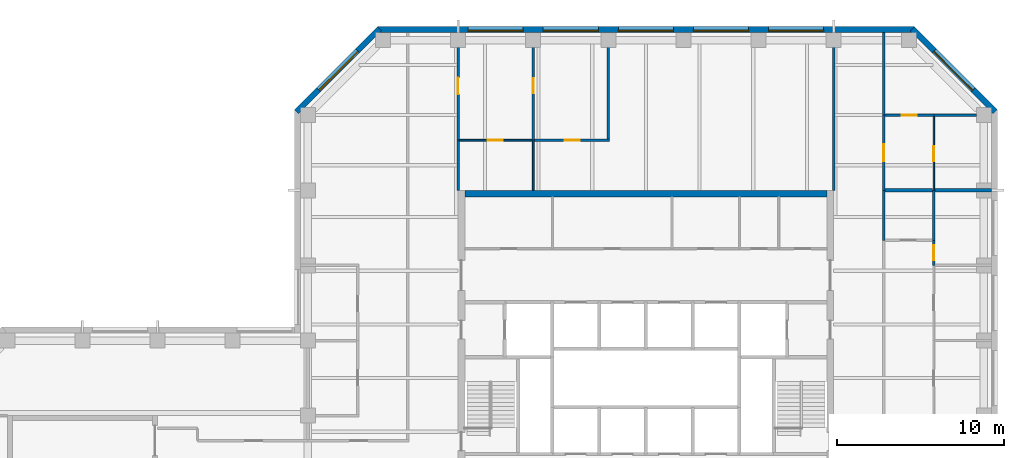
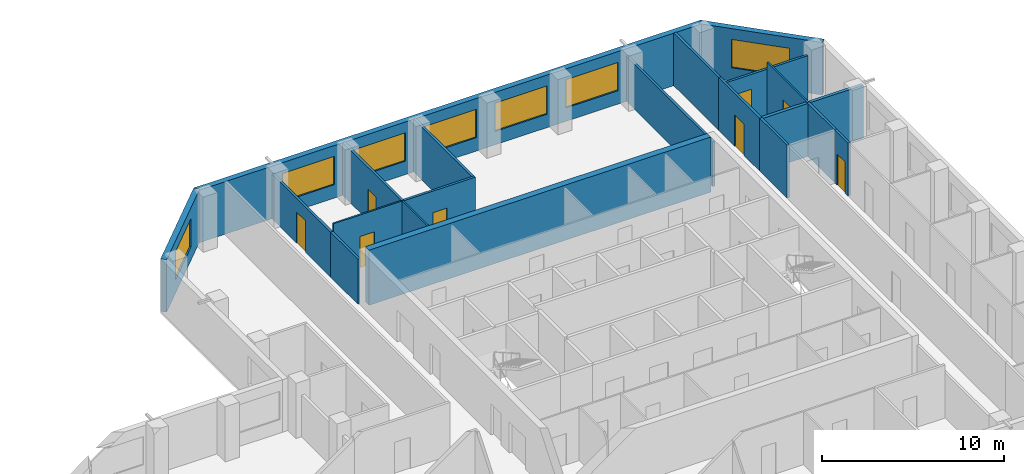
# One storey, part 7 of 9: 22 walls, 8 doors, 7 windows, 15 openings.
"""IFC4 building model written with IfcOpenShell, lengths in metres."""

from ifc_helpers import new_model, si_unit, direction, frame, frame_2d, origin, place, context, subcontext, project, spatial, rectangle, extrude, material, layer, layer_set, constituent, constituent_set, type_object, element, fill, save


model = new_model("IFC4")

# Units and contexts
model_context = context("Model", 3, precision=1e-05, world=origin(), true_north=direction((0.0, 1.0)))
body_context = subcontext(model_context, "Body", "Model", "MODEL_VIEW")
ifc_project = project(units=[si_unit("LENGTHUNIT", "METRE"), si_unit("AREAUNIT", "SQUARE_METRE"), si_unit("VOLUMEUNIT", "CUBIC_METRE"), si_unit("PLANEANGLEUNIT", "RADIAN"), si_unit("MASSUNIT", "GRAM", prefix="KILO")], contexts=[model_context])

# Site, building, storey
site_placement = place(None, origin())
site = spatial("IfcSite", under=ifc_project, at=site_placement, CompositionType="ELEMENT")
building_placement = place(site_placement, origin())
building = spatial("IfcBuilding", under=site, at=building_placement, Name="Quoin Convention Tower", CompositionType="ELEMENT")
storey_placement = place(building_placement, frame((0.0, 0.0, 199.5)))
storey = spatial("IfcBuildingStorey", under=building, at=storey_placement, Name="L52", CompositionType="ELEMENT", Elevation=199.5)

# Wall, opening, door
ifc_material_1 = material(Name="Plasterboard")
ifc_layer_1 = layer(ifc_material_1, 0.012451171875, Name="Finish")
ifc_material_2 = material(Name="Steel stud framing", Category="steel")
ifc_layer_2 = layer(ifc_material_2, 0.125, Name="Structure")
ifc_layer_3 = layer(ifc_material_1, 0.012451171875, Name="Finish")
ifc_layer_set_1 = layer_set([ifc_layer_1, ifc_layer_2, ifc_layer_3], Name="Steel stud framing")
wall_type_1 = type_object("IfcWallType", Name="Acoustic partition 150", PredefinedType="PARTITIONING", material=ifc_layer_set_1)
wall_1_placement = place(storey_placement, frame((49.574951171875, 75.0, 0.0), z_axis=(0.0, 0.0, 1.0), x_axis=(1.0, 0.0, 0.0)))
wall_1 = element("IfcWall", 1, at=wall_1_placement, inside=storey, type_object=wall_type_1, Name="pw-L52-033", PredefinedType="PARTITIONING", context=body_context, shape_type="SweptSolid", body=[
    extrude(rectangle(XDim=4.5, YDim=0.14990234375, at=frame_2d((2.25, 0.0))), origin(), (0.0, 0.0, 1.0), 3.550048828125),
])
opening_1_placement = place(wall_1_placement, frame((1.800048828125, 0.0, 0.0)))
opening_1 = element("IfcOpeningElement", 2, at=opening_1_placement, cuts=wall_1, Name="Opening DOH8-09", PredefinedType="OPENING", context=body_context, shape_type="SweptSolid", body=[
    extrude(rectangle(XDim=0.89990234375, YDim=2.10009765625, at=frame_2d((0.449951171875, 1.050048828125))), frame((0.0, 0.0849609375, 0.0), z_axis=(0.0, -1.0, 0.0), x_axis=(1.0, 0.0, 0.0)), (0.0, 0.0, 1.0), 0.169921875),
])
ifc_material_3 = material(Name="Steel door leaf", Category="steel")
door_type_1 = type_object("IfcDoorType", Name="Office door 900 x 2100", OperationType="SINGLE_SWING_RIGHT", PredefinedType="DOOR", material=ifc_material_3)
door_1_placement = place(opening_1_placement, frame((0.89990234375, 0.0, 0.0), z_axis=(0.0, 0.0, 1.0), x_axis=(-1.0, 0.0, 0.0)))
door_1 = element("IfcDoor", 3, at=door_1_placement, inside=storey, type_object=door_type_1, Name="dr-L52-17", OperationType="SINGLE_SWING_LEFT", OverallHeight=2.10009765625, OverallWidth=0.89990234375, PredefinedType="DOOR", context=body_context, shape_type="SweptSolid", body=[
    extrude(rectangle(XDim=0.89990234375, YDim=2.10009765625, at=frame_2d((0.449951171875, 1.050048828125))), frame((0.0, 0.02490234375, 0.0), z_axis=(0.0, -1.0, 0.0), x_axis=(1.0, 0.0, 0.0)), (0.0, 0.0, 1.0), 0.050048828125),
])
fill(opening_1, door_1)

wall_2_placement = place(storey_placement, frame((73.5, 67.5, 0.0), z_axis=(0.0, 0.0, 1.0), x_axis=(0.0, 1.0, 0.0)))
wall_2 = element("IfcWall", 4, at=wall_2_placement, inside=storey, type_object=wall_type_1, Name="pw-L52-074", PredefinedType="PARTITIONING", context=body_context, shape_type="SweptSolid", body=[
    extrude(rectangle(XDim=1.5, YDim=0.14990234375, at=frame_2d((0.75, 0.0))), origin(), (0.0, 0.0, 1.0), 3.550048828125),
])
opening_2_placement = place(wall_2_placement, frame((0.300048828125, 0.0, 0.0)))
opening_2 = element("IfcOpeningElement", 5, at=opening_2_placement, cuts=wall_2, Name="Opening DOH8-23", PredefinedType="OPENING", context=body_context, shape_type="SweptSolid", body=[
    extrude(rectangle(XDim=0.89990234375, YDim=2.10009765625, at=frame_2d((0.449951171875, 1.050048828125))), frame((0.0, 0.0849609375, 0.0), z_axis=(0.0, -1.0, 0.0), x_axis=(1.0, 0.0, 0.0)), (0.0, 0.0, 1.0), 0.169921875),
])
door_2_placement = place(opening_2_placement, origin())
door_2 = element("IfcDoor", 6, at=door_2_placement, inside=storey, type_object=door_type_1, Name="dr-L52-32", OperationType="SINGLE_SWING_RIGHT", OverallHeight=2.10009765625, OverallWidth=0.89990234375, PredefinedType="DOOR", context=body_context, shape_type="SweptSolid", body=[
    extrude(rectangle(XDim=0.89990234375, YDim=2.10009765625, at=frame_2d((0.449951171875, 1.050048828125))), frame((0.0, 0.02490234375, 0.0), z_axis=(0.0, -1.0, 0.0), x_axis=(1.0, 0.0, 0.0)), (0.0, 0.0, 1.0), 0.050048828125),
])
fill(opening_2, door_2)

wall_3_placement = place(storey_placement, frame((49.5, 75.0, 0.0), z_axis=(0.0, 0.0, 1.0), x_axis=(0.0, 1.0, 0.0)))
wall_3 = element("IfcWall", 7, at=wall_3_placement, inside=storey, type_object=wall_type_1, Name="pw-L52-083", PredefinedType="PARTITIONING", context=body_context, shape_type="SweptSolid", body=[
    extrude(rectangle(XDim=6.449951171875, YDim=0.14990234375, at=frame_2d((3.22509765625, 0.0))), origin(), (0.0, 0.0, 1.0), 3.550048828125),
])
opening_3_placement = place(wall_3_placement, frame((2.800048828125, 0.0, 0.0)))
opening_3 = element("IfcOpeningElement", 8, at=opening_3_placement, cuts=wall_3, Name="Opening DOH8-27", PredefinedType="OPENING", context=body_context, shape_type="SweptSolid", body=[
    extrude(rectangle(XDim=0.89990234375, YDim=2.10009765625, at=frame_2d((0.449951171875, 1.050048828125))), frame((0.0, 0.0849609375, 0.0), z_axis=(0.0, -1.0, 0.0), x_axis=(1.0, 0.0, 0.0)), (0.0, 0.0, 1.0), 0.169921875),
])
door_3_placement = place(opening_3_placement, frame((0.89990234375, 0.0, 0.0), z_axis=(0.0, 0.0, 1.0), x_axis=(-1.0, 0.0, 0.0)))
door_3 = element("IfcDoor", 9, at=door_3_placement, inside=storey, type_object=door_type_1, Name="dr-L52-15", OperationType="SINGLE_SWING_LEFT", OverallHeight=2.10009765625, OverallWidth=0.89990234375, PredefinedType="DOOR", context=body_context, shape_type="SweptSolid", body=[
    extrude(rectangle(XDim=0.89990234375, YDim=2.10009765625, at=frame_2d((0.449951171875, 1.050048828125))), frame((0.0, 0.02490234375, 0.0), z_axis=(0.0, -1.0, 0.0), x_axis=(1.0, 0.0, 0.0)), (0.0, 0.0, 1.0), 0.050048828125),
])
fill(opening_3, door_3)

# Wall
wall_4_placement = place(storey_placement, frame((54.0, 75.074951171875, 0.0), z_axis=(0.0, 0.0, 1.0), x_axis=(0.0, 1.0, 0.0)))
element("IfcWall", 10, at=wall_4_placement, inside=storey, type_object=wall_type_1, Name="pw-L52-084", PredefinedType="PARTITIONING", context=body_context, shape_type="SweptSolid", body=[
    extrude(rectangle(XDim=6.375, YDim=0.14990234375, at=frame_2d((3.1875, 0.0))), origin(), (0.0, 0.0, 1.0), 3.550048828125),
])

# Wall, opening, door
ifc_layer_4 = layer(ifc_material_1, 0.012451171875, Name="Finish")
ifc_layer_5 = layer(ifc_material_2, 0.125, Name="Structure")
ifc_layer_6 = layer(ifc_material_1, 0.012451171875, Name="Finish")
ifc_layer_set_2 = layer_set([ifc_layer_4, ifc_layer_5, ifc_layer_6], Name="Steel stud framing")
wall_type_2 = type_object("IfcWallType", Name="Acoustic partition 150 under beam 454", PredefinedType="PARTITIONING", material=ifc_layer_set_2)
wall_5_placement = place(storey_placement, frame((70.574951171875, 76.5, 0.0), z_axis=(0.0, 0.0, 1.0), x_axis=(1.0, 0.0, 0.0)))
wall_5 = element("IfcWall", 11, at=wall_5_placement, inside=storey, type_object=wall_type_2, Name="pw-L52-034", PredefinedType="PARTITIONING", context=body_context, shape_type="SweptSolid", body=[
    extrude(rectangle(XDim=2.925048828125, YDim=0.14990234375, at=frame_2d((1.46240234375, 0.0))), origin(), (0.0, 0.0, 1.0), 3.095947265625),
])
opening_4_placement = place(wall_5_placement, frame((1.0, 0.0, 0.0)))
opening_4 = element("IfcOpeningElement", 12, at=opening_4_placement, cuts=wall_5, Name="Opening DOH8-10", PredefinedType="OPENING", context=body_context, shape_type="SweptSolid", body=[
    extrude(rectangle(XDim=0.89990234375, YDim=2.10009765625, at=frame_2d((0.449951171875, 1.050048828125))), frame((0.0, 0.0849609375, 0.0), z_axis=(0.0, -1.0, 0.0), x_axis=(1.0, 0.0, 0.0)), (0.0, 0.0, 1.0), 0.169921875),
])
door_4_placement = place(opening_4_placement, origin())
door_4 = element("IfcDoor", 13, at=door_4_placement, inside=storey, type_object=door_type_1, Name="dr-L52-35", OperationType="SINGLE_SWING_RIGHT", OverallHeight=2.10009765625, OverallWidth=0.89990234375, PredefinedType="DOOR", context=body_context, shape_type="SweptSolid", body=[
    extrude(rectangle(XDim=0.89990234375, YDim=2.10009765625, at=frame_2d((0.449951171875, 1.050048828125))), frame((0.0, 0.02490234375, 0.0), z_axis=(0.0, -1.0, 0.0), x_axis=(1.0, 0.0, 0.0)), (0.0, 0.0, 1.0), 0.050048828125),
])
fill(opening_4, door_4)

# Wall
wall_6_placement = place(storey_placement, frame((73.5, 76.5, 0.0), z_axis=(0.0, 0.0, 1.0), x_axis=(1.0, 0.0, 0.0)))
element("IfcWall", 14, at=wall_6_placement, inside=storey, type_object=wall_type_2, Name="pw-L52-035", PredefinedType="PARTITIONING", context=body_context, shape_type="SweptSolid", body=[
    extrude(rectangle(XDim=2.550048828125, YDim=0.14990234375, at=frame_2d((1.27490234375, 0.0))), origin(), (0.0, 0.0, 1.0), 3.095947265625),
])

# Wall, opening, window
ifc_material_4 = material(Name="Brick masonry", Category="masonry")
ifc_layer_7 = layer(ifc_material_4, 0.35009765625)
ifc_layer_set_3 = layer_set([ifc_layer_7], Name="Brick masonry")
wall_type_3 = type_object("IfcWallType", Name="Brick facade wall", PredefinedType="STANDARD", material=ifc_layer_set_3)
wall_7_placement = place(storey_placement, frame((77.17626953125, 76.70751953125, 0.0), z_axis=(0.0, 0.0, 1.0), x_axis=(-0.707106781187, 0.707106781187, 0.0)))
wall_7 = element("IfcWall", 15, at=wall_7_placement, inside=storey, type_object=wall_type_3, Name="fw-L52-76500_76500", PredefinedType="STANDARD", context=body_context, shape_type="SweptSolid", body=[
    extrude(rectangle(XDim=7.02685546875, YDim=0.35009765625, at=frame_2d((3.513427734375, 0.0))), origin(), (0.0, 0.0, 1.0), 3.52490234375),
])
opening_5_placement = place(wall_7_placement, frame((1.86328125, 0.0, 0.89990234375)))
opening_5 = element("IfcOpeningElement", 16, at=opening_5_placement, cuts=wall_7, Name="Opening W-02", PredefinedType="OPENING", context=body_context, shape_type="SweptSolid", body=[
    extrude(rectangle(XDim=3.300048828125, YDim=1.89990234375, at=frame_2d((1.64990234375, 0.949951171875))), frame((0.0, 0.18505859375, 0.0), z_axis=(0.0, -1.0, 0.0), x_axis=(1.0, 0.0, 0.0)), (0.0, 0.0, 1.0), 0.3701171875),
])
ifc_material_5 = material(Name="Aluminium", Category="aluminium")
ifc_constituent_1 = constituent(ifc_material_5, Name="Frame")
ifc_material_6 = material(Name="Insulated glass", Category="glass")
ifc_constituent_2 = constituent(ifc_material_6, Name="Glazing")
ifc_constituent_set = constituent_set(constituents=[ifc_constituent_1, ifc_constituent_2], Name="Aluminium")
window_type = type_object("IfcWindowType", Name="Office window", PartitioningType="DOUBLE_PANEL_VERTICAL", PredefinedType="WINDOW", material=ifc_constituent_set)
window_1_placement = place(opening_5_placement, origin())
window_1 = element("IfcWindow", 17, at=window_1_placement, inside=storey, type_object=window_type, Name="win-L52-74692_79192", OverallHeight=1.89990234375, OverallWidth=3.300048828125, PartitioningType="SINGLE_PANEL", PredefinedType="WINDOW", context=body_context, shape_type="SweptSolid", body=[
    extrude(rectangle(XDim=3.300048828125, YDim=1.89990234375, at=frame_2d((1.64990234375, 0.949951171875))), frame((0.0, 0.0849609375, 0.0), z_axis=(0.0, -1.0, 0.0), x_axis=(1.0, 0.0, 0.0)), (0.0, 0.0, 1.0), 0.06005859375),
])
fill(opening_5, window_1)

# Wall, openings, windows
wall_8_placement = place(storey_placement, frame((72.331298828125, 81.625, 0.0), z_axis=(0.0, 0.0, 1.0), x_axis=(-1.0, 0.0, 0.0)))
wall_8 = element("IfcWall", 18, at=wall_8_placement, inside=storey, type_object=wall_type_3, Name="fw-L52-72000_81000", PredefinedType="STANDARD", context=body_context, shape_type="SweptSolid", body=[
    extrude(rectangle(XDim=32.16259765625, YDim=0.35009765625, at=frame_2d((16.081298828125, 0.0))), origin(), (0.0, 0.0, 1.0), 3.52490234375),
])
opening_6_placement = place(wall_8_placement, frame((5.431396484375, 0.0, 0.89990234375)))
opening_6 = element("IfcOpeningElement", 19, at=opening_6_placement, cuts=wall_8, Name="Opening W-02", PredefinedType="OPENING", context=body_context, shape_type="SweptSolid", body=[
    extrude(rectangle(XDim=3.300048828125, YDim=1.89990234375, at=frame_2d((1.64990234375, 0.949951171875))), frame((0.0, 0.18505859375, 0.0), z_axis=(0.0, -1.0, 0.0), x_axis=(1.0, 0.0, 0.0)), (0.0, 0.0, 1.0), 0.3701171875),
])
opening_7_placement = place(wall_8_placement, frame((9.931396484375, 0.0, 0.89990234375)))
opening_7 = element("IfcOpeningElement", 20, at=opening_7_placement, cuts=wall_8, Name="Opening W-02", PredefinedType="OPENING", context=body_context, shape_type="SweptSolid", body=[
    extrude(rectangle(XDim=3.300048828125, YDim=1.89990234375, at=frame_2d((1.64990234375, 0.949951171875))), frame((0.0, 0.18505859375, 0.0), z_axis=(0.0, -1.0, 0.0), x_axis=(1.0, 0.0, 0.0)), (0.0, 0.0, 1.0), 0.3701171875),
])
opening_8_placement = place(wall_8_placement, frame((14.431396484375, 0.0, 0.89990234375)))
opening_8 = element("IfcOpeningElement", 21, at=opening_8_placement, cuts=wall_8, Name="Opening W-02", PredefinedType="OPENING", context=body_context, shape_type="SweptSolid", body=[
    extrude(rectangle(XDim=3.300048828125, YDim=1.89990234375, at=frame_2d((1.64990234375, 0.949951171875))), frame((0.0, 0.18505859375, 0.0), z_axis=(0.0, -1.0, 0.0), x_axis=(1.0, 0.0, 0.0)), (0.0, 0.0, 1.0), 0.3701171875),
])
opening_9_placement = place(wall_8_placement, frame((18.931396484375, 0.0, 0.89990234375)))
opening_9 = element("IfcOpeningElement", 22, at=opening_9_placement, cuts=wall_8, Name="Opening W-02", PredefinedType="OPENING", context=body_context, shape_type="SweptSolid", body=[
    extrude(rectangle(XDim=3.300048828125, YDim=1.89990234375, at=frame_2d((1.64990234375, 0.949951171875))), frame((0.0, 0.18505859375, 0.0), z_axis=(0.0, -1.0, 0.0), x_axis=(1.0, 0.0, 0.0)), (0.0, 0.0, 1.0), 0.3701171875),
])
opening_10_placement = place(wall_8_placement, frame((23.431396484375, 0.0, 0.89990234375)))
opening_10 = element("IfcOpeningElement", 23, at=opening_10_placement, cuts=wall_8, Name="Opening W-02", PredefinedType="OPENING", context=body_context, shape_type="SweptSolid", body=[
    extrude(rectangle(XDim=3.300048828125, YDim=1.89990234375, at=frame_2d((1.64990234375, 0.949951171875))), frame((0.0, 0.18505859375, 0.0), z_axis=(0.0, -1.0, 0.0), x_axis=(1.0, 0.0, 0.0)), (0.0, 0.0, 1.0), 0.3701171875),
])
window_2_placement = place(opening_6_placement, origin())
window_2 = element("IfcWindow", 24, at=window_2_placement, inside=storey, type_object=window_type, Name="win-L52-65250_81625", OverallHeight=1.89990234375, OverallWidth=3.300048828125, PartitioningType="SINGLE_PANEL", PredefinedType="WINDOW", context=body_context, shape_type="SweptSolid", body=[
    extrude(rectangle(XDim=3.300048828125, YDim=1.89990234375, at=frame_2d((1.64990234375, 0.949951171875))), frame((0.0, 0.0849609375, 0.0), z_axis=(0.0, -1.0, 0.0), x_axis=(1.0, 0.0, 0.0)), (0.0, 0.0, 1.0), 0.06005859375),
])
fill(opening_6, window_2)
window_3_placement = place(opening_7_placement, origin())
window_3 = element("IfcWindow", 25, at=window_3_placement, inside=storey, type_object=window_type, Name="win-L52-60750_81625", OverallHeight=1.89990234375, OverallWidth=3.300048828125, PartitioningType="SINGLE_PANEL", PredefinedType="WINDOW", context=body_context, shape_type="SweptSolid", body=[
    extrude(rectangle(XDim=3.300048828125, YDim=1.89990234375, at=frame_2d((1.64990234375, 0.949951171875))), frame((0.0, 0.0849609375, 0.0), z_axis=(0.0, -1.0, 0.0), x_axis=(1.0, 0.0, 0.0)), (0.0, 0.0, 1.0), 0.06005859375),
])
fill(opening_7, window_3)
window_4_placement = place(opening_8_placement, origin())
window_4 = element("IfcWindow", 26, at=window_4_placement, inside=storey, type_object=window_type, Name="win-L52-56250_81625", OverallHeight=1.89990234375, OverallWidth=3.300048828125, PartitioningType="SINGLE_PANEL", PredefinedType="WINDOW", context=body_context, shape_type="SweptSolid", body=[
    extrude(rectangle(XDim=3.300048828125, YDim=1.89990234375, at=frame_2d((1.64990234375, 0.949951171875))), frame((0.0, 0.0849609375, 0.0), z_axis=(0.0, -1.0, 0.0), x_axis=(1.0, 0.0, 0.0)), (0.0, 0.0, 1.0), 0.06005859375),
])
fill(opening_8, window_4)
window_5_placement = place(opening_9_placement, origin())
window_5 = element("IfcWindow", 27, at=window_5_placement, inside=storey, type_object=window_type, Name="win-L52-51750_81625", OverallHeight=1.89990234375, OverallWidth=3.300048828125, PartitioningType="SINGLE_PANEL", PredefinedType="WINDOW", context=body_context, shape_type="SweptSolid", body=[
    extrude(rectangle(XDim=3.300048828125, YDim=1.89990234375, at=frame_2d((1.64990234375, 0.949951171875))), frame((0.0, 0.0849609375, 0.0), z_axis=(0.0, -1.0, 0.0), x_axis=(1.0, 0.0, 0.0)), (0.0, 0.0, 1.0), 0.06005859375),
])
fill(opening_9, window_5)
window_6_placement = place(opening_10_placement, origin())
window_6 = element("IfcWindow", 28, at=window_6_placement, inside=storey, type_object=window_type, Name="win-L52-47250_81625", OverallHeight=1.89990234375, OverallWidth=3.300048828125, PartitioningType="SINGLE_PANEL", PredefinedType="WINDOW", context=body_context, shape_type="SweptSolid", body=[
    extrude(rectangle(XDim=3.300048828125, YDim=1.89990234375, at=frame_2d((1.64990234375, 0.949951171875))), frame((0.0, 0.0849609375, 0.0), z_axis=(0.0, -1.0, 0.0), x_axis=(1.0, 0.0, 0.0)), (0.0, 0.0, 1.0), 0.06005859375),
])
fill(opening_10, window_6)

# Wall, opening, window
wall_9_placement = place(storey_placement, frame((40.29248046875, 81.67626953125, 0.0), z_axis=(0.0, 0.0, 1.0), x_axis=(-0.707106781187, -0.707106781187, 0.0)))
wall_9 = element("IfcWall", 29, at=wall_9_placement, inside=storey, type_object=wall_type_3, Name="fw-L52-40500_81000", PredefinedType="STANDARD", context=body_context, shape_type="SweptSolid", body=[
    extrude(rectangle(XDim=7.02685546875, YDim=0.35009765625, at=frame_2d((3.513427734375, 0.0))), origin(), (0.0, 0.0, 1.0), 3.52490234375),
])
opening_11_placement = place(wall_9_placement, frame((1.86328125, 0.0, 0.89990234375)))
opening_11 = element("IfcOpeningElement", 30, at=opening_11_placement, cuts=wall_9, Name="Opening W-02", PredefinedType="OPENING", context=body_context, shape_type="SweptSolid", body=[
    extrude(rectangle(XDim=3.300048828125, YDim=1.89990234375, at=frame_2d((1.64990234375, 0.949951171875))), frame((0.0, 0.18505859375, 0.0), z_axis=(0.0, -1.0, 0.0), x_axis=(1.0, 0.0, 0.0)), (0.0, 0.0, 1.0), 0.3701171875),
])
window_7_placement = place(opening_11_placement, origin())
window_7 = element("IfcWindow", 31, at=window_7_placement, inside=storey, type_object=window_type, Name="win-L52-37808_79192", OverallHeight=1.89990234375, OverallWidth=3.300048828125, PartitioningType="SINGLE_PANEL", PredefinedType="WINDOW", context=body_context, shape_type="SweptSolid", body=[
    extrude(rectangle(XDim=3.300048828125, YDim=1.89990234375, at=frame_2d((1.64990234375, 0.949951171875))), frame((0.0, 0.0849609375, 0.0), z_axis=(0.0, -1.0, 0.0), x_axis=(1.0, 0.0, 0.0)), (0.0, 0.0, 1.0), 0.06005859375),
])
fill(opening_11, window_7)

# Wall
ifc_layer_8 = layer(ifc_material_1, 0.012451171875, Name="Finish")
ifc_layer_9 = layer(ifc_material_2, 0.125, Name="Structure")
ifc_layer_10 = layer(ifc_material_1, 0.012451171875, Name="Finish")
ifc_layer_set_4 = layer_set([ifc_layer_8, ifc_layer_9, ifc_layer_10], Name="Steel stud framing")
wall_type_4 = type_object("IfcWallType", Name="Corridor wall 150", PredefinedType="PARTITIONING", material=ifc_layer_set_4)
wall_10_placement = place(storey_placement, frame((70.5, 69.0, 0.0), z_axis=(0.0, 0.0, 1.0), x_axis=(0.0, 1.0, 0.0)))
element("IfcWall", 32, at=wall_10_placement, inside=storey, type_object=wall_type_4, Name="pw-L52-075", PredefinedType="PARTITIONING", context=body_context, shape_type="SweptSolid", body=[
    extrude(rectangle(XDim=3.0, YDim=0.14990234375, at=frame_2d((1.5, 0.0))), origin(), (0.0, 0.0, 1.0), 3.550048828125),
])

# Wall, opening, door
wall_11_placement = place(storey_placement, frame((70.5, 72.0, 0.0), z_axis=(0.0, 0.0, 1.0), x_axis=(0.0, 1.0, 0.0)))
wall_11 = element("IfcWall", 33, at=wall_11_placement, inside=storey, type_object=wall_type_4, Name="pw-L52-080", PredefinedType="PARTITIONING", context=body_context, shape_type="SweptSolid", body=[
    extrude(rectangle(XDim=4.5, YDim=0.14990234375, at=frame_2d((2.25, 0.0))), origin(), (0.0, 0.0, 1.0), 3.550048828125),
])
opening_12_placement = place(wall_11_placement, frame((1.75, 0.0, 0.0)))
opening_12 = element("IfcOpeningElement", 34, at=opening_12_placement, cuts=wall_11, Name="Opening DOH8-24", PredefinedType="OPENING", context=body_context, shape_type="SweptSolid", body=[
    extrude(rectangle(XDim=1.0, YDim=2.10009765625, at=frame_2d((0.5, 1.050048828125))), frame((0.0, 0.0849609375, 0.0), z_axis=(0.0, -1.0, 0.0), x_axis=(1.0, 0.0, 0.0)), (0.0, 0.0, 1.0), 0.169921875),
])
door_type_2 = type_object("IfcDoorType", Name="Tenancy entrance door 1000 x 2100", OperationType="DOUBLE_DOOR_SINGLE_SWING", PredefinedType="DOOR", material=ifc_material_3)
door_5_placement = place(opening_12_placement, frame((1.0, 0.0, 0.0), z_axis=(0.0, 0.0, 1.0), x_axis=(-1.0, 0.0, 0.0)))
door_5 = element("IfcDoor", 35, at=door_5_placement, inside=storey, type_object=door_type_2, Name="dr-L52-33", OperationType="DOUBLE_DOOR_SINGLE_SWING", OverallHeight=2.10009765625, OverallWidth=1.0, PredefinedType="DOOR", context=body_context, shape_type="SweptSolid", body=[
    extrude(rectangle(XDim=1.0, YDim=2.10009765625, at=frame_2d((0.5, 1.050048828125))), frame((0.0, 0.02490234375, 0.0), z_axis=(0.0, -1.0, 0.0), x_axis=(1.0, 0.0, 0.0)), (0.0, 0.0, 1.0), 0.050048828125),
])
fill(opening_12, door_5)

# Walls
wall_12_placement = place(storey_placement, frame((70.5, 76.5, 0.0), z_axis=(0.0, 0.0, 1.0), x_axis=(0.0, 1.0, 0.0)))
element("IfcWall", 36, at=wall_12_placement, inside=storey, type_object=wall_type_4, Name="pw-L52-085", PredefinedType="PARTITIONING", context=body_context, shape_type="SweptSolid", body=[
    extrude(rectangle(XDim=4.949951171875, YDim=0.14990234375, at=frame_2d((2.47509765625, 0.0))), origin(), (0.0, 0.0, 1.0), 3.550048828125),
])
ifc_layer_11 = layer(ifc_material_1, 0.012451171875, Name="Finish")
ifc_layer_12 = layer(ifc_material_2, 0.125, Name="Structure")
ifc_layer_13 = layer(ifc_material_1, 0.012451171875, Name="Finish")
ifc_layer_set_5 = layer_set([ifc_layer_11, ifc_layer_12, ifc_layer_13], Name="Steel stud framing")
wall_type_5 = type_object("IfcWallType", Name="Corridor wall 150 under beam 528", PredefinedType="PARTITIONING", material=ifc_layer_set_5)
wall_13_placement = place(storey_placement, frame((45.0, 72.0, 0.0), z_axis=(0.0, 0.0, 1.0), x_axis=(0.0, 1.0, 0.0)))
element("IfcWall", 37, at=wall_13_placement, inside=storey, type_object=wall_type_5, Name="pw-L52-077", PredefinedType="PARTITIONING", context=body_context, shape_type="SweptSolid", body=[
    extrude(rectangle(XDim=3.0, YDim=0.14990234375, at=frame_2d((1.5, 0.0))), origin(), (0.0, 0.0, 1.0), 3.02197265625),
])
wall_14_placement = place(storey_placement, frame((67.5, 72.0, 0.0), z_axis=(0.0, 0.0, 1.0), x_axis=(0.0, 1.0, 0.0)))
element("IfcWall", 38, at=wall_14_placement, inside=storey, type_object=wall_type_5, Name="pw-L52-079", PredefinedType="PARTITIONING", context=body_context, shape_type="SweptSolid", body=[
    extrude(rectangle(XDim=9.449951171875, YDim=0.14990234375, at=frame_2d((4.72509765625, 0.0))), origin(), (0.0, 0.0, 1.0), 3.02197265625),
])

# Wall, opening, door
wall_15_placement = place(storey_placement, frame((45.0, 75.0, 0.0), z_axis=(0.0, 0.0, 1.0), x_axis=(0.0, 1.0, 0.0)))
wall_15 = element("IfcWall", 39, at=wall_15_placement, inside=storey, type_object=wall_type_5, Name="pw-L52-082", PredefinedType="PARTITIONING", context=body_context, shape_type="SweptSolid", body=[
    extrude(rectangle(XDim=6.449951171875, YDim=0.14990234375, at=frame_2d((3.22509765625, 0.0))), origin(), (0.0, 0.0, 1.0), 3.02197265625),
])
opening_13_placement = place(wall_15_placement, frame((2.75, 0.0, 0.0)))
opening_13 = element("IfcOpeningElement", 40, at=opening_13_placement, cuts=wall_15, Name="Opening DOH8-26", PredefinedType="OPENING", context=body_context, shape_type="SweptSolid", body=[
    extrude(rectangle(XDim=1.0, YDim=2.10009765625, at=frame_2d((0.5, 1.050048828125))), frame((0.0, 0.0849609375, 0.0), z_axis=(0.0, -1.0, 0.0), x_axis=(1.0, 0.0, 0.0)), (0.0, 0.0, 1.0), 0.169921875),
])
door_6_placement = place(opening_13_placement, origin())
door_6 = element("IfcDoor", 41, at=door_6_placement, inside=storey, type_object=door_type_2, Name="dr-L52-14", OperationType="DOUBLE_DOOR_SINGLE_SWING", OverallHeight=2.10009765625, OverallWidth=1.0, PredefinedType="DOOR", context=body_context, shape_type="SweptSolid", body=[
    extrude(rectangle(XDim=1.0, YDim=2.10009765625, at=frame_2d((0.5, 1.050048828125))), frame((0.0, 0.02490234375, 0.0), z_axis=(0.0, -1.0, 0.0), x_axis=(1.0, 0.0, 0.0)), (0.0, 0.0, 1.0), 0.050048828125),
])
fill(opening_13, door_6)

# Wall
ifc_material_7 = material(Name="Concrete C50", Category="concrete")
ifc_layer_14 = layer(ifc_material_7, 0.39990234375)
ifc_layer_set_6 = layer_set([ifc_layer_14], Name="Concrete C50")
wall_type_6 = type_object("IfcWallType", Name="RC CORE WALL 400 C50", PredefinedType="SHEAR", material=ifc_layer_set_6)
wall_16_placement = place(storey_placement, frame((45.39990234375, 71.800048828125, 0.0), z_axis=(0.0, 0.0, 1.0), x_axis=(1.0, 0.0, 0.0)))
element("IfcWall", 42, at=wall_16_placement, inside=storey, type_object=wall_type_6, Name="cwl-C1-L52-N", PredefinedType="SHEAR", context=body_context, shape_type="SweptSolid", body=[
    extrude(rectangle(XDim=21.7001953125, YDim=0.39990234375, at=frame_2d((10.85009765625, 0.0))), origin(), (0.0, 0.0, 1.0), 3.699951171875),
])

# Wall, opening, door
ifc_layer_15 = layer(ifc_material_1, 0.012451171875, Name="Finish")
ifc_layer_16 = layer(ifc_material_2, 0.074951171875, Name="Structure")
ifc_layer_17 = layer(ifc_material_1, 0.012451171875, Name="Finish")
ifc_layer_set_7 = layer_set([ifc_layer_15, ifc_layer_16, ifc_layer_17], Name="Steel stud framing")
wall_type_7 = type_object("IfcWallType", Name="Stud partition 100", PredefinedType="PARTITIONING", material=ifc_layer_set_7)
wall_17_placement = place(storey_placement, frame((45.074951171875, 75.0, 0.0), z_axis=(0.0, 0.0, 1.0), x_axis=(1.0, 0.0, 0.0)))
wall_17 = element("IfcWall", 43, at=wall_17_placement, inside=storey, type_object=wall_type_7, Name="pw-L52-032", PredefinedType="PARTITIONING", context=body_context, shape_type="SweptSolid", body=[
    extrude(rectangle(XDim=4.35009765625, YDim=0.10009765625, at=frame_2d((2.175048828125, 0.0))), origin(), (0.0, 0.0, 1.0), 3.550048828125),
])
opening_14_placement = place(wall_17_placement, frame((1.699951171875, 0.0, 0.0)))
opening_14 = element("IfcOpeningElement", 44, at=opening_14_placement, cuts=wall_17, Name="Opening DOH8-08", PredefinedType="OPENING", context=body_context, shape_type="SweptSolid", body=[
    extrude(rectangle(XDim=0.89990234375, YDim=2.10009765625, at=frame_2d((0.449951171875, 1.050048828125))), frame((0.0, 0.06005859375, 0.0), z_axis=(0.0, -1.0, 0.0), x_axis=(1.0, 0.0, 0.0)), (0.0, 0.0, 1.0), 0.1201171875),
])
door_7_placement = place(opening_14_placement, frame((0.89990234375, 0.0, 0.0), z_axis=(0.0, 0.0, 1.0), x_axis=(-1.0, 0.0, 0.0)))
door_7 = element("IfcDoor", 45, at=door_7_placement, inside=storey, type_object=door_type_1, Name="dr-L52-16", OperationType="SINGLE_SWING_LEFT", OverallHeight=2.10009765625, OverallWidth=0.89990234375, PredefinedType="DOOR", context=body_context, shape_type="SweptSolid", body=[
    extrude(rectangle(XDim=0.89990234375, YDim=2.10009765625, at=frame_2d((0.449951171875, 1.050048828125))), frame((0.0, 0.02490234375, 0.0), z_axis=(0.0, -1.0, 0.0), x_axis=(1.0, 0.0, 0.0)), (0.0, 0.0, 1.0), 0.050048828125),
])
fill(opening_14, door_7)

# Wall
wall_18_placement = place(storey_placement, frame((49.5, 72.0, 0.0), z_axis=(0.0, 0.0, 1.0), x_axis=(0.0, 1.0, 0.0)))
element("IfcWall", 46, at=wall_18_placement, inside=storey, type_object=wall_type_7, Name="pw-L52-078", PredefinedType="PARTITIONING", context=body_context, shape_type="SweptSolid", body=[
    extrude(rectangle(XDim=3.0, YDim=0.10009765625, at=frame_2d((1.5, 0.0))), origin(), (0.0, 0.0, 1.0), 3.550048828125),
])

# Wall, opening, door
wall_19_placement = place(storey_placement, frame((73.5, 72.0, 0.0), z_axis=(0.0, 0.0, 1.0), x_axis=(0.0, 1.0, 0.0)))
wall_19 = element("IfcWall", 47, at=wall_19_placement, inside=storey, type_object=wall_type_7, Name="pw-L52-081", PredefinedType="PARTITIONING", context=body_context, shape_type="SweptSolid", body=[
    extrude(rectangle(XDim=4.425048828125, YDim=0.10009765625, at=frame_2d((2.21240234375, 0.0))), origin(), (0.0, 0.0, 1.0), 3.550048828125),
])
opening_15_placement = place(wall_19_placement, frame((1.75, 0.0, 0.0)))
opening_15 = element("IfcOpeningElement", 48, at=opening_15_placement, cuts=wall_19, Name="Opening DOH8-25", PredefinedType="OPENING", context=body_context, shape_type="SweptSolid", body=[
    extrude(rectangle(XDim=0.89990234375, YDim=2.10009765625, at=frame_2d((0.449951171875, 1.050048828125))), frame((0.0, 0.06005859375, 0.0), z_axis=(0.0, -1.0, 0.0), x_axis=(1.0, 0.0, 0.0)), (0.0, 0.0, 1.0), 0.1201171875),
])
door_8_placement = place(opening_15_placement, frame((0.89990234375, 0.0, 0.0), z_axis=(0.0, 0.0, 1.0), x_axis=(-1.0, 0.0, 0.0)))
door_8 = element("IfcDoor", 49, at=door_8_placement, inside=storey, type_object=door_type_1, Name="dr-L52-34", OperationType="SINGLE_SWING_RIGHT", OverallHeight=2.10009765625, OverallWidth=0.89990234375, PredefinedType="DOOR", context=body_context, shape_type="SweptSolid", body=[
    extrude(rectangle(XDim=0.89990234375, YDim=2.10009765625, at=frame_2d((0.449951171875, 1.050048828125))), frame((0.0, 0.02490234375, 0.0), z_axis=(0.0, -1.0, 0.0), x_axis=(1.0, 0.0, 0.0)), (0.0, 0.0, 1.0), 0.050048828125),
])
fill(opening_15, door_8)

# Walls
ifc_layer_18 = layer(ifc_material_1, 0.012451171875, Name="Finish")
ifc_layer_19 = layer(ifc_material_2, 0.175048828125, Name="Structure")
ifc_layer_20 = layer(ifc_material_1, 0.012451171875, Name="Finish")
ifc_layer_set_8 = layer_set([ifc_layer_18, ifc_layer_19, ifc_layer_20], Name="Steel stud framing")
wall_type_8 = type_object("IfcWallType", Name="Tenancy demising wall 200", PredefinedType="PARTITIONING", material=ifc_layer_set_8)
wall_20_placement = place(storey_placement, frame((70.574951171875, 72.0, 0.0), z_axis=(0.0, 0.0, 1.0), x_axis=(1.0, 0.0, 0.0)))
element("IfcWall", 50, at=wall_20_placement, inside=storey, type_object=wall_type_8, Name="pw-L52-030", PredefinedType="PARTITIONING", context=body_context, shape_type="SweptSolid", body=[
    extrude(rectangle(XDim=2.85009765625, YDim=0.199951171875, at=frame_2d((1.425048828125, 0.0))), origin(), (0.0, 0.0, 1.0), 3.550048828125),
])
wall_21_placement = place(storey_placement, frame((73.574951171875, 72.0, 0.0), z_axis=(0.0, 0.0, 1.0), x_axis=(1.0, 0.0, 0.0)))
element("IfcWall", 51, at=wall_21_placement, inside=storey, type_object=wall_type_8, Name="pw-L52-031", PredefinedType="PARTITIONING", context=body_context, shape_type="SweptSolid", body=[
    extrude(rectangle(XDim=3.375, YDim=0.199951171875, at=frame_2d((1.6875, 0.0))), origin(), (0.0, 0.0, 1.0), 3.550048828125),
])
ifc_layer_21 = layer(ifc_material_1, 0.012451171875, Name="Finish")
ifc_layer_22 = layer(ifc_material_2, 0.125, Name="Structure")
ifc_layer_23 = layer(ifc_material_1, 0.012451171875, Name="Finish")
ifc_layer_set_9 = layer_set([ifc_layer_21, ifc_layer_22, ifc_layer_23], Name="Steel stud framing")
wall_type_9 = type_object("IfcWallType", Name="Wet area partition 150", PredefinedType="PARTITIONING", material=ifc_layer_set_9)
wall_22_placement = place(storey_placement, frame((73.5, 69.0, 0.0), z_axis=(0.0, 0.0, 1.0), x_axis=(0.0, 1.0, 0.0)))
element("IfcWall", 52, at=wall_22_placement, inside=storey, type_object=wall_type_9, Name="pw-L52-076", PredefinedType="PARTITIONING", context=body_context, shape_type="SweptSolid", body=[
    extrude(rectangle(XDim=3.0, YDim=0.14990234375, at=frame_2d((1.5, 0.0))), origin(), (0.0, 0.0, 1.0), 3.550048828125),
])

save(model, "model.ifc")
